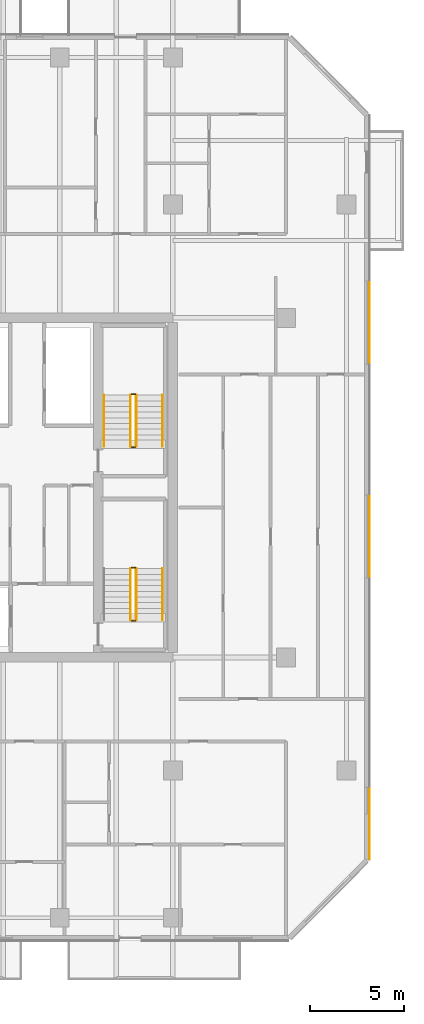
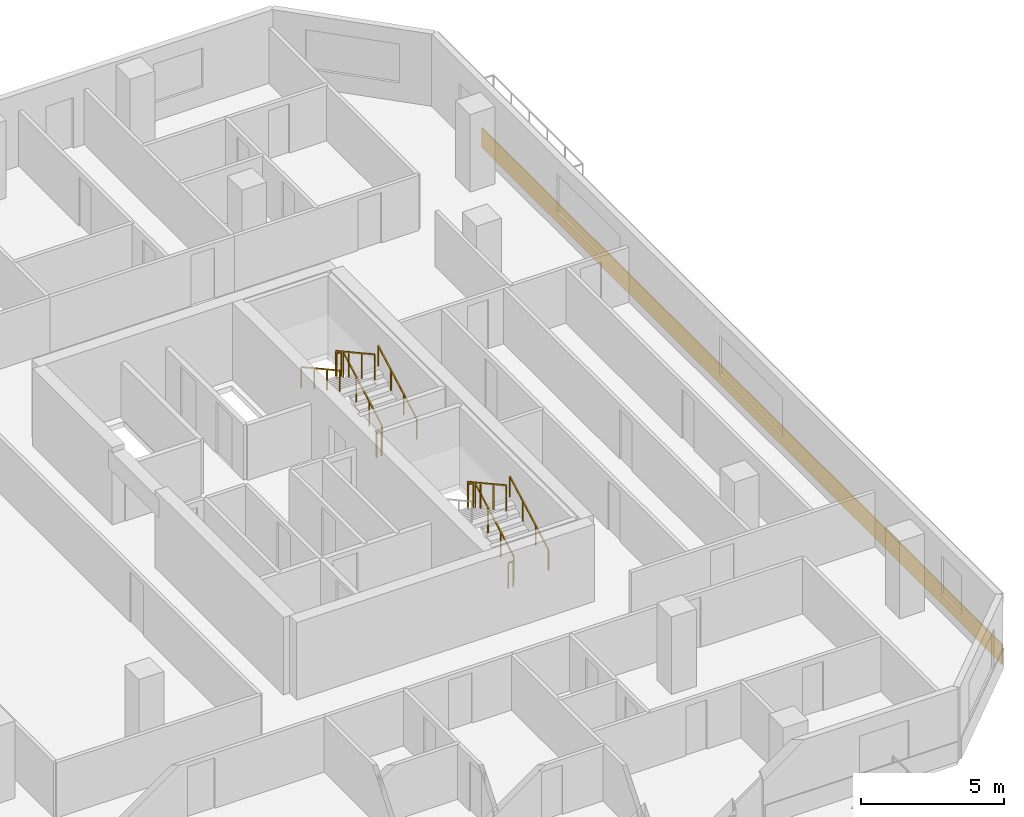
# One storey, part 22 of 23: 11 railings, 1 covering.
"""IFC4 building model written with IfcOpenShell, lengths in metres."""

from ifc_helpers import new_model, si_unit, direction, frame, origin, origin_2d, place, context, subcontext, project, spatial, rectangle, extrude, material, layer, layer_set, type_object, element, save


model = new_model("IFC4")

# Units and contexts
model_context = context("Model", 3, precision=1e-05, world=origin(), true_north=direction((0.0, 1.0)))
body_context = subcontext(model_context, "Body", "Model", "MODEL_VIEW")
ifc_project = project(units=[si_unit("LENGTHUNIT", "METRE"), si_unit("AREAUNIT", "SQUARE_METRE"), si_unit("VOLUMEUNIT", "CUBIC_METRE"), si_unit("PLANEANGLEUNIT", "RADIAN"), si_unit("MASSUNIT", "GRAM", prefix="KILO")], contexts=[model_context])

# Site, building, storey
site_placement = place(None, origin())
site = spatial("IfcSite", under=ifc_project, at=site_placement, CompositionType="ELEMENT")
building_placement = place(site_placement, origin())
building = spatial("IfcBuilding", under=site, at=building_placement, Name="Tanjung Sevakor Pilgrim Tower", CompositionType="ELEMENT")
storey_placement = place(building_placement, frame((0.0, 0.0, 85.469970703125)))
storey = spatial("IfcBuildingStorey", under=building, at=storey_placement, Name="L23", CompositionType="ELEMENT", Elevation=85.469970703125)

# Covering
ifc_material_1 = material(Name="Reconstructed Limestone Cladding", Category="masonry")
ifc_layer = layer(ifc_material_1, 0.044921875)
ifc_layer_set = layer_set([ifc_layer], Name="COV-CLAD-LIMESTONE")
covering_type = type_object("IfcCoveringType", Name="COV-CLAD-LIMESTONE", PredefinedType="CLADDING", material=ifc_layer_set)
covering_placement = place(storey_placement, frame((100.422607421875, 32.06591796875, 0.009765625), z_axis=(0.0, 0.0, 1.0), x_axis=(0.0, 1.0, 0.0)))
element("IfcCovering", 1, at=covering_placement, inside=storey, type_object=covering_type, Name="L23 Warm Limestone Sill Spandrel EW-L23-MAIN-7-1", PredefinedType="CLADDING", context=body_context, shape_type="SweptSolid", body=[
    extrude(rectangle(XDim=36.34814453125, YDim=0.044921875, at=origin_2d()), origin(), (0.0, 0.0, 1.0), 0.840087890625),
])

# Railings
ifc_material_2 = material(Name="Steel S355J2", Category="steel")
railing_type_1 = type_object("IfcRailingType", Name="RL-STAIR-GUARD", PredefinedType="GUARDRAIL", material=ifc_material_2)
railing_1_placement = place(storey_placement, frame((88.050048828125, 26.60009765625, 0.1650390625)))
element("IfcRailing", 2, at=railing_1_placement, inside=storey, type_object=railing_type_1, Name="L23 TS-E1 stair guard 1", PredefinedType="GUARDRAIL", context=body_context, shape_type="SweptSolid", body=[
    extrude(rectangle(XDim=0.0479, YDim=0.0479), frame((0.0, 0.0, 1.076171875), z_axis=(0.0, 0.876197507361, 0.481952205197), x_axis=(-1.0, 0.0, 0.0)), (0.0, 0.0, 1.0), 3.08154296875),
    extrude(rectangle(XDim=0.042, YDim=0.042), origin(), (0.0, 0.0, 1.0), 1.052001953125),
    extrude(rectangle(XDim=0.042, YDim=0.042), frame((0.0, 0.89990234375, 0.4951171875)), (0.0, 0.0, 1.0), 1.052001953125),
    extrude(rectangle(XDim=0.042, YDim=0.042), frame((0.0, 1.800048828125, 0.989990234375)), (0.0, 0.0, 1.0), 1.052001953125),
    extrude(rectangle(XDim=0.042, YDim=0.042), frame((0.0, 2.699951171875, 1.485107421875)), (0.0, 0.0, 1.0), 1.052001953125),
])
railing_2_placement = place(storey_placement, frame((88.0, 29.35009765625, 1.650146484375)))
element("IfcRailing", 3, at=railing_2_placement, inside=storey, type_object=railing_type_1, Name="L23 TS-E1 stair guard 2", PredefinedType="GUARDRAIL", context=body_context, shape_type="SweptSolid", body=[
    extrude(rectangle(XDim=0.0479, YDim=0.0479), frame((0.0, 0.0, 1.076171875), z_axis=(-1.0, 0.0, 0.0), x_axis=(0.0, -1.0, 0.0)), (0.0, 0.0, 1.0), 0.199951171875),
    extrude(rectangle(XDim=0.042, YDim=0.042), origin(), (0.0, 0.0, 1.0), 1.052001953125),
    extrude(rectangle(XDim=0.042, YDim=0.042), frame((-0.199951171875, 0.0, 0.0)), (0.0, 0.0, 1.0), 1.052001953125),
])
railing_3_placement = place(storey_placement, frame((87.75, 29.300048828125, 1.81494140625)))
element("IfcRailing", 4, at=railing_3_placement, inside=storey, type_object=railing_type_1, Name="L23 TS-E1 stair guard 3", PredefinedType="GUARDRAIL", context=body_context, shape_type="SweptSolid", body=[
    extrude(rectangle(XDim=0.0479, YDim=0.0479), frame((0.0, 0.0, 1.076171875), z_axis=(0.0, -0.876197507361, 0.481952205197), x_axis=(1.0, 0.0, 0.0)), (0.0, 0.0, 1.0), 3.08154296875),
    extrude(rectangle(XDim=0.042, YDim=0.042), origin(), (0.0, 0.0, 1.0), 1.052001953125),
    extrude(rectangle(XDim=0.042, YDim=0.042), frame((0.0, -0.89990234375, 0.4951171875)), (0.0, 0.0, 1.0), 1.052001953125),
    extrude(rectangle(XDim=0.042, YDim=0.042), frame((0.0, -1.800048828125, 0.989990234375)), (0.0, 0.0, 1.0), 1.052001953125),
    extrude(rectangle(XDim=0.042, YDim=0.042), frame((0.0, -2.699951171875, 1.485107421875)), (0.0, 0.0, 1.0), 1.052001953125),
])
railing_4_placement = place(storey_placement, frame((88.0, 26.550048828125, 0.0)))
element("IfcRailing", 5, at=railing_4_placement, inside=storey, type_object=railing_type_1, Name="L23 TS-E1 stair guard 4", PredefinedType="GUARDRAIL", context=body_context, shape_type="SweptSolid", body=[
    extrude(rectangle(XDim=0.0479, YDim=0.0479), frame((0.0, 0.0, 1.076171875), z_axis=(-1.0, 0.0, 0.0), x_axis=(0.0, -1.0, 0.0)), (0.0, 0.0, 1.0), 0.199951171875),
    extrude(rectangle(XDim=0.042, YDim=0.042), origin(), (0.0, 0.0, 1.0), 1.052001953125),
    extrude(rectangle(XDim=0.042, YDim=0.042), frame((-0.199951171875, 0.0, 0.0)), (0.0, 0.0, 1.0), 1.052001953125),
])
railing_5_placement = place(storey_placement, frame((88.050048828125, 35.800048828125, 0.1650390625)))
element("IfcRailing", 6, at=railing_5_placement, inside=storey, type_object=railing_type_1, Name="L23 TS-E2 stair guard 1", PredefinedType="GUARDRAIL", context=body_context, shape_type="SweptSolid", body=[
    extrude(rectangle(XDim=0.0479, YDim=0.0479), frame((0.0, 0.0, 1.076171875), z_axis=(0.0, 0.876197507361, 0.481952205197), x_axis=(-1.0, 0.0, 0.0)), (0.0, 0.0, 1.0), 3.08154296875),
    extrude(rectangle(XDim=0.042, YDim=0.042), origin(), (0.0, 0.0, 1.0), 1.052001953125),
    extrude(rectangle(XDim=0.042, YDim=0.042), frame((0.0, 0.89990234375, 0.4951171875)), (0.0, 0.0, 1.0), 1.052001953125),
    extrude(rectangle(XDim=0.042, YDim=0.042), frame((0.0, 1.800048828125, 0.989990234375)), (0.0, 0.0, 1.0), 1.052001953125),
    extrude(rectangle(XDim=0.042, YDim=0.042), frame((0.0, 2.699951171875, 1.485107421875)), (0.0, 0.0, 1.0), 1.052001953125),
])
railing_6_placement = place(storey_placement, frame((88.0, 38.550048828125, 1.650146484375)))
element("IfcRailing", 7, at=railing_6_placement, inside=storey, type_object=railing_type_1, Name="L23 TS-E2 stair guard 2", PredefinedType="GUARDRAIL", context=body_context, shape_type="SweptSolid", body=[
    extrude(rectangle(XDim=0.0479, YDim=0.0479), frame((0.0, 0.0, 1.076171875), z_axis=(-1.0, 0.0, 0.0), x_axis=(0.0, -1.0, 0.0)), (0.0, 0.0, 1.0), 0.199951171875),
    extrude(rectangle(XDim=0.042, YDim=0.042), origin(), (0.0, 0.0, 1.0), 1.052001953125),
    extrude(rectangle(XDim=0.042, YDim=0.042), frame((-0.199951171875, 0.0, 0.0)), (0.0, 0.0, 1.0), 1.052001953125),
])
railing_7_placement = place(storey_placement, frame((87.75, 38.5, 1.81494140625)))
element("IfcRailing", 8, at=railing_7_placement, inside=storey, type_object=railing_type_1, Name="L23 TS-E2 stair guard 3", PredefinedType="GUARDRAIL", context=body_context, shape_type="SweptSolid", body=[
    extrude(rectangle(XDim=0.0479, YDim=0.0479), frame((0.0, 0.0, 1.076171875), z_axis=(0.0, -0.876197507361, 0.481952205197), x_axis=(1.0, 0.0, 0.0)), (0.0, 0.0, 1.0), 3.08154296875),
    extrude(rectangle(XDim=0.042, YDim=0.042), origin(), (0.0, 0.0, 1.0), 1.052001953125),
    extrude(rectangle(XDim=0.042, YDim=0.042), frame((0.0, -0.89990234375, 0.4951171875)), (0.0, 0.0, 1.0), 1.052001953125),
    extrude(rectangle(XDim=0.042, YDim=0.042), frame((0.0, -1.800048828125, 0.989990234375)), (0.0, 0.0, 1.0), 1.052001953125),
    extrude(rectangle(XDim=0.042, YDim=0.042), frame((0.0, -2.699951171875, 1.485107421875)), (0.0, 0.0, 1.0), 1.052001953125),
])
railing_8_placement = place(storey_placement, frame((88.0, 35.75, 0.0)))
element("IfcRailing", 9, at=railing_8_placement, inside=storey, type_object=railing_type_1, Name="L23 TS-E2 stair guard 4", PredefinedType="GUARDRAIL", context=body_context, shape_type="SweptSolid", body=[
    extrude(rectangle(XDim=0.0479, YDim=0.0479), frame((0.0, 0.0, 1.076171875), z_axis=(-1.0, 0.0, 0.0), x_axis=(0.0, -1.0, 0.0)), (0.0, 0.0, 1.0), 0.199951171875),
    extrude(rectangle(XDim=0.042, YDim=0.042), origin(), (0.0, 0.0, 1.0), 1.052001953125),
    extrude(rectangle(XDim=0.042, YDim=0.042), frame((-0.199951171875, 0.0, 0.0)), (0.0, 0.0, 1.0), 1.052001953125),
])
ifc_material_3 = material(Name="Steel S355J2", Category="steel")
railing_type_2 = type_object("IfcRailingType", Name="RL-STAIR-HAND", PredefinedType="HANDRAIL", material=ifc_material_3)
for number, where, name in (
    (10, (89.449951171875, 26.60009765625, 0.1650390625), "L23 TS-E1 stair handrail 1"),
    (11, (89.449951171875, 35.800048828125, 0.1650390625), "L23 TS-E2 stair handrail 1"),
):
    element("IfcRailing", number, at=place(storey_placement, frame(where)), inside=storey, type_object=railing_type_2, Name=name, PredefinedType="HANDRAIL", context=body_context, shape_type="SweptSolid", body=[
        extrude(rectangle(XDim=0.0479, YDim=0.0479), frame((0.0, 0.0, 0.8759765625), z_axis=(0.0, 0.876197507361, 0.481952205197), x_axis=(-1.0, 0.0, 0.0)), (0.0, 0.0, 1.0), 3.08154296875),
        extrude(rectangle(XDim=0.042, YDim=0.042), origin(), (0.0, 0.0, 1.0), 0.851806640625),
        extrude(rectangle(XDim=0.042, YDim=0.042), frame((0.0, 0.89990234375, 0.4951171875)), (0.0, 0.0, 1.0), 0.851806640625),
        extrude(rectangle(XDim=0.042, YDim=0.042), frame((0.0, 1.800048828125, 0.989990234375)), (0.0, 0.0, 1.0), 0.851806640625),
        extrude(rectangle(XDim=0.042, YDim=0.042), frame((0.0, 2.699951171875, 1.485107421875)), (0.0, 0.0, 1.0), 0.851806640625),
    ])
railing_9_placement = place(storey_placement, frame((86.35009765625, 38.5, 1.81494140625)))
element("IfcRailing", 12, at=railing_9_placement, inside=storey, type_object=railing_type_2, Name="L23 TS-E2 stair handrail 2", PredefinedType="HANDRAIL", context=body_context, shape_type="SweptSolid", body=[
    extrude(rectangle(XDim=0.0479, YDim=0.0479), frame((0.0, 0.0, 0.8759765625), z_axis=(0.0, -0.876197507361, 0.481952205197), x_axis=(1.0, 0.0, 0.0)), (0.0, 0.0, 1.0), 3.08154296875),
    extrude(rectangle(XDim=0.042, YDim=0.042), origin(), (0.0, 0.0, 1.0), 0.851806640625),
    extrude(rectangle(XDim=0.042, YDim=0.042), frame((0.0, -0.89990234375, 0.4951171875)), (0.0, 0.0, 1.0), 0.851806640625),
    extrude(rectangle(XDim=0.042, YDim=0.042), frame((0.0, -1.800048828125, 0.989990234375)), (0.0, 0.0, 1.0), 0.851806640625),
    extrude(rectangle(XDim=0.042, YDim=0.042), frame((0.0, -2.699951171875, 1.485107421875)), (0.0, 0.0, 1.0), 0.851806640625),
])

save(model, "model.ifc")
